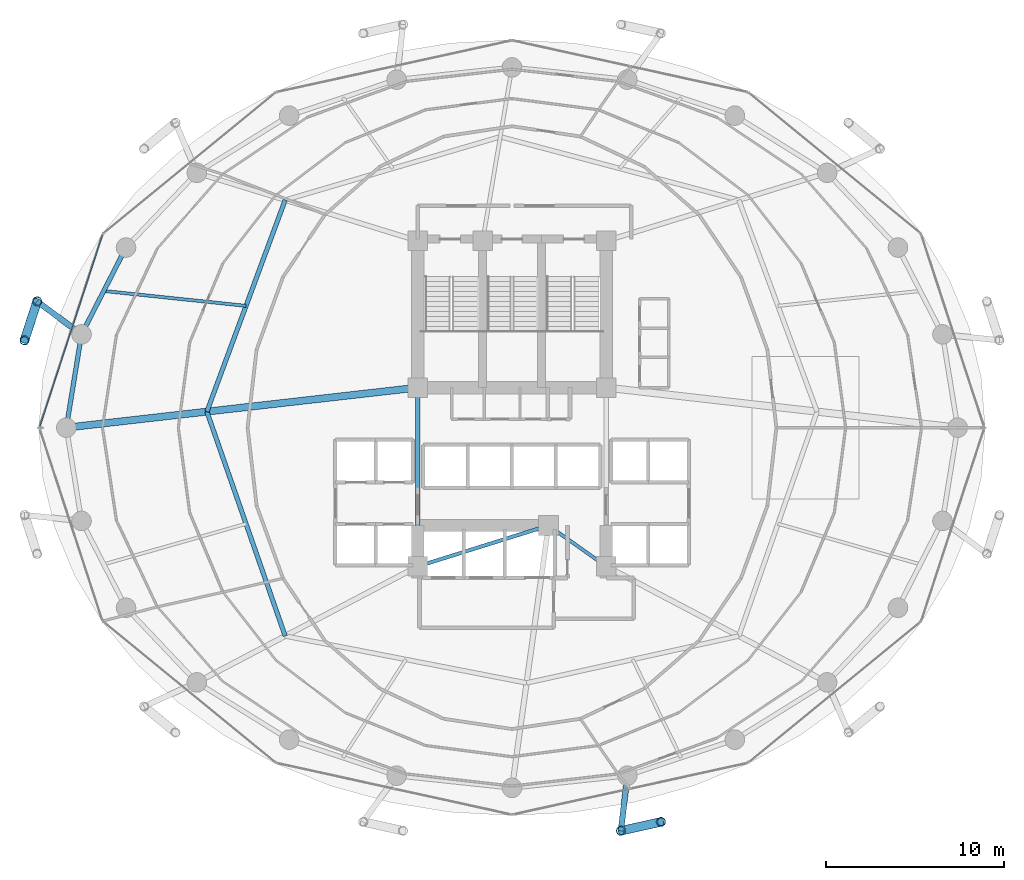
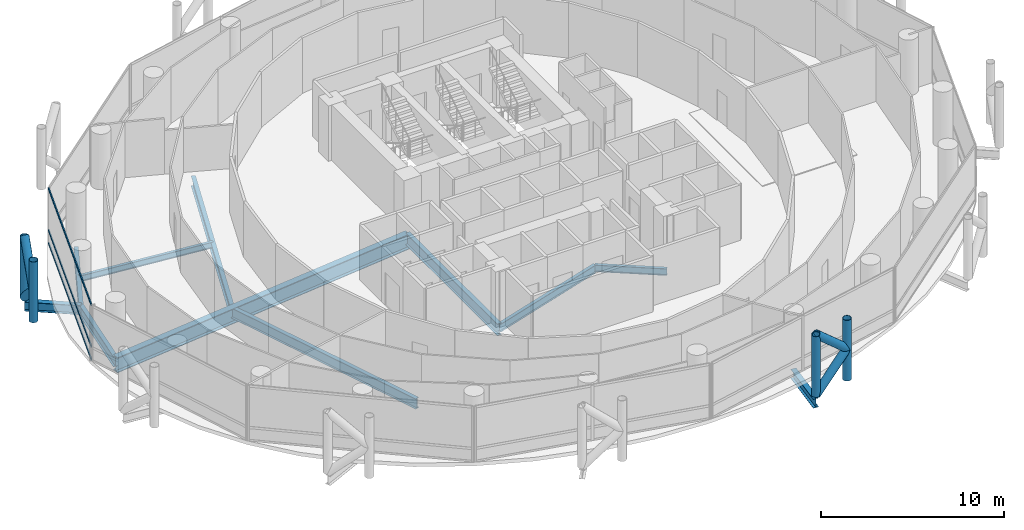
# One storey, part 7 of 27: 11 beams, 11 members, 1 element without a shape of its own.
"""IFC4 building model written with IfcOpenShell, lengths in metres."""

from ifc_helpers import new_model, si_unit, direction, frame, origin, origin_2d, place, context, subcontext, project, spatial, hollow_rectangle, hollow_circle, i_section, extrude, material, layer, layer_set, material_profile, profile_set, type_object, element, aggregate, save


model = new_model("IFC4")

# Units and contexts
model_context = context("Model", 3, precision=1e-05, world=origin(), true_north=direction((0.0, 1.0)))
body_context = subcontext(model_context, "Body", "Model", "MODEL_VIEW")
ifc_project = project(units=[si_unit("LENGTHUNIT", "METRE"), si_unit("AREAUNIT", "SQUARE_METRE"), si_unit("VOLUMEUNIT", "CUBIC_METRE"), si_unit("PLANEANGLEUNIT", "RADIAN"), si_unit("MASSUNIT", "GRAM", prefix="KILO")], contexts=[model_context])

# Site, building, storey
site_placement = place(None, origin())
site = spatial("IfcSite", under=ifc_project, at=site_placement, CompositionType="ELEMENT")
building_placement = place(site_placement, origin())
building = spatial("IfcBuilding", under=site, at=building_placement, Name="Nuhasar Tower", CompositionType="ELEMENT")
storey_placement = place(building_placement, frame((0.0, 0.0, 102.0)))
storey = spatial("IfcBuildingStorey", under=building, at=storey_placement, Name="L24", CompositionType="ELEMENT", Elevation=102.0)

# Beams
ifc_material_1 = material(Name="Steel S355", Category="steel")
ifc_material_profile_1 = material_profile(ifc_material_1, i_section(OverallWidth=0.25390625, OverallDepth=0.68408203125, WebThickness=0.012451171875, FlangeThickness=0.018798828125, at=origin_2d()), Name="W27X94")
ifc_profile_set_1 = profile_set([ifc_material_profile_1], Name="Steel S355")
beam_type_1 = type_object("IfcBeamType", Name="BM-INRING-W27X94", PredefinedType="BEAM", material=ifc_profile_set_1)
beam_1_placement = place(storey_placement, frame((26.251953125, 39.591064453125, -0.592041015625), z_axis=(-0.34715757476, -0.937806812881, 0.0), x_axis=(0.937806812881, -0.34715757476, 0.0)))
element("IfcBeam", 1, at=beam_1_placement, inside=storey, type_object=beam_type_1, Name="L24 Inner Header Beam 07", PredefinedType="BEAM", context=body_context, shape_type="SweptSolid", body=[
    extrude(i_section(OverallWidth=0.25390625, OverallDepth=0.68408203125, WebThickness=0.012451171875, FlangeThickness=0.018798828125, at=origin_2d()), origin(), (0.0, 0.0, 1.0), 12.6796875),
])
beam_2_placement = place(storey_placement, frame((21.85009765625, 27.699951171875, -0.592041015625), z_axis=(0.329554049858, -0.944136710558, 0.0), x_axis=(0.944136710558, 0.329554049858, 0.0)))
element("IfcBeam", 2, at=beam_2_placement, inside=storey, type_object=beam_type_1, Name="L24 Inner Header Beam 08", PredefinedType="BEAM", context=body_context, shape_type="SweptSolid", body=[
    extrude(i_section(OverallWidth=0.25390625, OverallDepth=0.68408203125, WebThickness=0.012451171875, FlangeThickness=0.018798828125, at=origin_2d()), origin(), (0.0, 0.0, 1.0), 13.35693359375),
])
ifc_material_profile_2 = material_profile(ifc_material_1, i_section(OverallWidth=0.177978515625, OverallDepth=0.406005859375, WebThickness=0.0078125, FlangeThickness=0.0126953125, at=origin_2d()), Name="W16X40")
ifc_profile_set_2 = profile_set([ifc_material_profile_2], Name="Steel S355")
beam_type_2 = type_object("IfcBeamType", Name="BM-JST-W16X40", PredefinedType="JOIST", material=ifc_profile_set_2)
beam_3_placement = place(storey_placement, frame((24.051025390625, 33.64501953125, -0.452880859375), z_axis=(-0.994554594377, 0.104216883485, 0.0), x_axis=(-0.104216883485, -0.994554594377, 0.0)))
element("IfcBeam", 3, at=beam_3_placement, inside=storey, type_object=beam_type_2, Name="L24 Secondary Floor Joist 07", PredefinedType="JOIST", context=body_context, shape_type="SweptSolid", body=[
    extrude(i_section(OverallWidth=0.177978515625, OverallDepth=0.406005859375, WebThickness=0.0078125, FlangeThickness=0.0126953125, at=origin_2d()), origin(), (0.0, 0.0, 1.0), 8.039794921875),
])
ifc_material_profile_3 = material_profile(ifc_material_1, i_section(OverallWidth=0.18994140625, OverallDepth=0.45703125, WebThickness=0.009033203125, FlangeThickness=0.014404296875, at=origin_2d()), Name="W18X50")
ifc_profile_set_3 = profile_set([ifc_material_profile_3], Name="Steel S355")
beam_type_3 = type_object("IfcBeamType", Name="BM-RAD-W18X50", PredefinedType="BEAM", material=ifc_profile_set_3)
beam_4_placement = place(storey_placement, frame((41.050048828125, 21.300048828125, -0.47802734375), z_axis=(0.816265428953, -0.577677028708, 0.0), x_axis=(0.577677028708, 0.816265428953, 0.0)))
element("IfcBeam", 4, at=beam_4_placement, inside=storey, type_object=beam_type_3, Name="L24 Core Ring Girder 2", PredefinedType="BEAM", context=body_context, shape_type="SweptSolid", body=[
    extrude(i_section(OverallWidth=0.18994140625, OverallDepth=0.45703125, WebThickness=0.009033203125, FlangeThickness=0.014404296875, at=origin_2d()), origin(), (0.0, 0.0, 1.0), 3.9814453125),
])
ifc_material_profile_4 = material_profile(ifc_material_1, i_section(OverallWidth=0.208984375, OverallDepth=0.532958984375, WebThickness=0.01025390625, FlangeThickness=0.015625, at=origin_2d()), Name="W21X62")
ifc_profile_set_4 = profile_set([ifc_material_profile_4], Name="Steel S355")
beam_type_4 = type_object("IfcBeamType", Name="BM-RAD-W21X62", PredefinedType="BEAM", material=ifc_profile_set_4)
beam_5_placement = place(storey_placement, frame((33.699951171875, 19.0, -0.51611328125), z_axis=(0.954363709454, 0.298646798205, 0.0), x_axis=(-0.298646798205, 0.954363709454, 0.0)))
element("IfcBeam", 5, at=beam_5_placement, inside=storey, type_object=beam_type_4, Name="L24 Core Ring Girder 1", PredefinedType="BEAM", context=body_context, shape_type="SweptSolid", body=[
    extrude(i_section(OverallWidth=0.208984375, OverallDepth=0.532958984375, WebThickness=0.01025390625, FlangeThickness=0.015625, at=origin_2d()), origin(), (0.0, 0.0, 1.0), 7.70166015625),
])
ifc_material_profile_5 = material_profile(ifc_material_1, i_section(OverallWidth=0.26611328125, OverallDepth=0.779052734375, WebThickness=0.0166015625, FlangeThickness=0.030029296875, at=origin_2d()), Name="W30X148")
ifc_profile_set_5 = profile_set([ifc_material_profile_5], Name="Steel S355")
beam_type_5 = type_object("IfcBeamType", Name="BM-RAD-W30X148", PredefinedType="BEAM", material=ifc_profile_set_5)
beam_6_placement = place(storey_placement, frame((33.699951171875, 29.050048828125, -0.638916015625), z_axis=(0.0, -1.0, 0.0), x_axis=(1.0, 0.0, 0.0)))
element("IfcBeam", 6, at=beam_6_placement, inside=storey, type_object=beam_type_5, Name="L24 Core Ring Girder 8", PredefinedType="BEAM", context=body_context, shape_type="SweptSolid", body=[
    extrude(i_section(OverallWidth=0.26611328125, OverallDepth=0.779052734375, WebThickness=0.0166015625, FlangeThickness=0.030029296875, at=origin_2d()), origin(), (0.0, 0.0, 1.0), 10.050048828125),
])
ifc_material_profile_6 = material_profile(ifc_material_1, i_section(OverallWidth=0.256103515625, OverallDepth=0.693115234375, WebThickness=0.014404296875, FlangeThickness=0.023681640625, at=origin_2d()), Name="W27X114")
ifc_profile_set_6 = profile_set([ifc_material_profile_6], Name="Steel S355")
beam_type_6 = type_object("IfcBeamType", Name="BM-RING-W27X114", PredefinedType="SPANDREL", material=ifc_profile_set_6)
beam_7_placement = place(storey_placement, frame((17.305908203125, 36.925048828125, -0.596923828125), z_axis=(-0.455930023905, -0.890015625314, 0.0), x_axis=(0.890015625314, -0.455930023905, 0.0)))
element("IfcBeam", 7, at=beam_7_placement, inside=storey, type_object=beam_type_6, Name="L24 Perimeter Ring Spandrel 11", PredefinedType="SPANDREL", context=body_context, shape_type="SweptSolid", body=[
    extrude(i_section(OverallWidth=0.256103515625, OverallDepth=0.693115234375, WebThickness=0.014404296875, FlangeThickness=0.023681640625, at=origin_2d()), origin(), (0.0, 0.0, 1.0), 5.487548828125),
])
beam_8_placement = place(storey_placement, frame((14.803955078125, 32.041015625, -0.596923828125), z_axis=(-0.160826635486, -0.986982671235, 0.0), x_axis=(0.986982671235, -0.160826635486, 0.0)))
element("IfcBeam", 8, at=beam_8_placement, inside=storey, type_object=beam_type_6, Name="L24 Perimeter Ring Spandrel 12", PredefinedType="SPANDREL", context=body_context, shape_type="SweptSolid", body=[
    extrude(i_section(OverallWidth=0.256103515625, OverallDepth=0.693115234375, WebThickness=0.014404296875, FlangeThickness=0.023681640625, at=origin_2d()), origin(), (0.0, 0.0, 1.0), 5.31005859375),
])
ifc_material_profile_7 = material_profile(ifc_material_1, i_section(OverallWidth=0.323974609375, OverallDepth=0.611083984375, WebThickness=0.0126953125, FlangeThickness=0.01904296875, at=origin_2d()), Name="W24X104")
ifc_profile_set_7 = profile_set([ifc_material_profile_7], Name="Steel S355")
beam_type_7 = type_object("IfcBeamType", Name="BM-TIE-W24X104", PredefinedType="BEAM", material=ifc_profile_set_7)
beam_9_placement = place(storey_placement, frame((14.803955078125, 32.041015625, -0.554931640625), z_axis=(-0.802151061326, 0.597121155892, 0.0), x_axis=(-0.597121155892, -0.802151061326, 0.0)))
element("IfcBeam", 9, at=beam_9_placement, inside=storey, type_object=beam_type_7, Name="L24 Exoskeleton Node Tie Beam 06", PredefinedType="BEAM", context=body_context, shape_type="SweptSolid", body=[
    extrude(i_section(OverallWidth=0.323974609375, OverallDepth=0.611083984375, WebThickness=0.0126953125, FlangeThickness=0.01904296875, at=origin_2d()), origin(), (0.0, 0.0, 1.0), 3.111328125),
])
beam_10_placement = place(storey_placement, frame((45.48291015625, 7.239990234375, -0.554931640625), z_axis=(-0.115042934281, -0.993360520291, 0.0), x_axis=(0.993360520291, -0.115042934281, 0.0)))
element("IfcBeam", 10, at=beam_10_placement, inside=storey, type_object=beam_type_7, Name="L24 Exoskeleton Node Tie Beam 10", PredefinedType="BEAM", context=body_context, shape_type="SweptSolid", body=[
    extrude(i_section(OverallWidth=0.323974609375, OverallDepth=0.611083984375, WebThickness=0.0126953125, FlangeThickness=0.01904296875, at=origin_2d()), origin(), (0.0, 0.0, 1.0), 3.11962890625),
])
ifc_material_2 = material(Name="Steel S460", Category="steel")
ifc_material_profile_8 = material_profile(ifc_material_2, i_section(OverallWidth=0.40087890625, OverallDepth=1.010009765625, WebThickness=0.023681640625, FlangeThickness=0.0419921875, at=origin_2d()), Name="W40X297")
ifc_profile_set_8 = profile_set([ifc_material_profile_8], Name="Steel S460")
beam_type_8 = type_object("IfcBeamType", Name="BM-XFER-W40X297", PredefinedType="USERDEFINED", material=ifc_profile_set_8)
beam_11_placement = place(storey_placement, frame((33.699951171875, 29.050048828125, -0.7548828125), z_axis=(-0.993573147212, -0.113191877531, 0.0), x_axis=(0.113191877531, -0.993573147212, 0.0)))
element("IfcBeam", 11, at=beam_11_placement, inside=storey, type_object=beam_type_8, Name="L24 Radial Floor Girder 08", ObjectType="GIRDER", PredefinedType="USERDEFINED", context=body_context, shape_type="SweptSolid", body=[
    extrude(i_section(OverallWidth=0.40087890625, OverallDepth=1.010009765625, WebThickness=0.023681640625, FlangeThickness=0.0419921875, at=origin_2d()), origin(), (0.0, 0.0, 1.0), 19.877685546875),
])

# Curtain wall, members
ifc_material_3 = material(Name="Aluminium 6063-T6", Category="aluminium")
ifc_layer = layer(ifc_material_3, 0.199951171875)
ifc_layer_set = layer_set([ifc_layer], Name="Aluminium 6063-T6")
curtain_wall_type = type_object("IfcCurtainWallType", Name="CW-Z1-OFF", PredefinedType="NOTDEFINED", material=ifc_layer_set)
curtain_wall_placement = place(storey_placement, origin())
curtain_wall = element("IfcCurtainWall", 12, at=curtain_wall_placement, inside=storey, type_object=curtain_wall_type, Name="L24 Unitised Curtain Wall 06", PredefinedType="NOTDEFINED")
ifc_material_profile_9 = material_profile(ifc_material_3, hollow_rectangle(XDim=0.06494140625, YDim=0.14990234375, WallThickness=0.00439453125, at=origin_2d()), Name="CWT-2")
ifc_profile_set_9 = profile_set([ifc_material_profile_9], Name="Aluminium 6063-T6")
member_type_1 = type_object("IfcMemberType", Name="CW-TRN-S2", PredefinedType="USERDEFINED", material=ifc_profile_set_9)
member_1_placement = place(storey_placement, frame((15.977783203125, 37.6181640625, 0.032470703125), z_axis=(-0.31082506089, -0.950467138581, 0.0), x_axis=(0.950467138581, -0.31082506089, 0.0)))
member_1 = element("IfcMember", 13, at=member_1_placement, type_object=member_type_1, Name="CW-Z1 transom 1.1", ObjectType="TRANSOM", PredefinedType="USERDEFINED", context=body_context, shape_type="SweptSolid", body=[
    extrude(hollow_rectangle(XDim=0.06494140625, YDim=0.14990234375, WallThickness=0.00439453125, at=origin_2d()), origin(), (0.0, 0.0, 1.0), 11.31689453125),
])
member_2_placement = place(storey_placement, frame((15.977783203125, 37.6181640625, 0.89990234375), z_axis=(-0.31082506089, -0.950467138581, 0.0), x_axis=(0.950467138581, -0.31082506089, 0.0)))
member_2 = element("IfcMember", 14, at=member_2_placement, type_object=member_type_1, Name="CW-Z1 transom 1.2", ObjectType="TRANSOM", PredefinedType="USERDEFINED", context=body_context, shape_type="SweptSolid", body=[
    extrude(hollow_rectangle(XDim=0.06494140625, YDim=0.14990234375, WallThickness=0.00439453125, at=origin_2d()), origin(), (0.0, 0.0, 1.0), 11.31689453125),
])
member_3_placement = place(storey_placement, frame((15.977783203125, 37.6181640625, 3.66748046875), z_axis=(-0.31082506089, -0.950467138581, 0.0), x_axis=(0.950467138581, -0.31082506089, 0.0)))
member_3 = element("IfcMember", 15, at=member_3_placement, type_object=member_type_1, Name="CW-Z1 transom 1.3", ObjectType="TRANSOM", PredefinedType="USERDEFINED", context=body_context, shape_type="SweptSolid", body=[
    extrude(hollow_rectangle(XDim=0.06494140625, YDim=0.14990234375, WallThickness=0.00439453125, at=origin_2d()), origin(), (0.0, 0.0, 1.0), 11.31689453125),
])
aggregate(curtain_wall, [member_1, member_2, member_3])

# Members
ifc_material_profile_10 = material_profile(ifc_material_2, hollow_circle(Radius=0.25390625, WallThickness=0.025390625, at=origin_2d()), Name="HSS508X25.4")
ifc_profile_set_10 = profile_set([ifc_material_profile_10], Name="Steel S460")
member_type_2 = type_object("IfcMemberType", Name="EXO-BRONZE-508", PredefinedType="BRACE", material=ifc_profile_set_10)
for number, where, z_axis, x_axis, name in (
    (16, (12.30810546875, 33.89892578125, 0.0), (0.0, 0.0, 1.0), (1.0, 0.0, 0.0), "L24 Exoskeleton Chord Column EC-06A"),
    (17, (11.60009765625, 31.7099609375, 0.0), (0.0, 0.0, 1.0), (1.0, 0.0, 0.0), "L24 Exoskeleton Chord Column EC-06B"),
    (18, (45.1240234375, 4.14111328125, 0.0), (0.0, 0.0, 1.0), (1.0, 0.0, 0.0), "L24 Exoskeleton Chord Column EC-10A"),
    (19, (47.3701171875, 4.639892578125, 0.0), (0.0, 0.0, 1.0), (1.0, 0.0, 0.0), "L24 Exoskeleton Chord Column EC-10B"),
):
    element("IfcMember", number, at=place(storey_placement, frame(where, z_axis=z_axis, x_axis=x_axis)), inside=storey, type_object=member_type_2, Name=name, PredefinedType="BRACE", context=body_context, shape_type="SweptSolid", body=[
        extrude(hollow_circle(Radius=0.25390625, WallThickness=0.025390625, at=origin_2d()), origin(), (0.0, 0.0, 1.0), 4.050048828125),
    ])
member_4_placement = place(storey_placement, frame((12.30810546875, 33.89892578125, 0.0), z_axis=(-0.231011836313, -0.714224870475, 0.660693851854), x_axis=(0.951468282519, -0.307746823478, 0.0)))
element("IfcMember", 20, at=member_4_placement, inside=storey, type_object=member_type_2, Name="L24 Bronze Diagrid Brace W1-06", PredefinedType="BRACE", context=body_context, shape_type="SweptSolid", body=[
    extrude(hollow_circle(Radius=0.25390625, WallThickness=0.025390625, at=origin_2d()), origin(), (0.0, 0.0, 1.0), 3.064697265625),
])
for number, where, z_axis, x_axis, name in (
    (21, (11.60009765625, 31.7099609375, 2.02490234375), (0.230999678299, 0.714187281251, 0.660738734997), (-0.951468282519, 0.307746823478, 0.0), "L24 Bronze Diagrid Brace W2-06"),
    (22, (45.1240234375, 4.14111328125, 0.0), (0.732830973624, 0.162736269469, 0.66066305383), (-0.216784396973, 0.976219506683, 0.0), "L24 Bronze Diagrid Brace W1-10"),
):
    element("IfcMember", number, at=place(storey_placement, frame(where, z_axis=z_axis, x_axis=x_axis)), inside=storey, type_object=member_type_2, Name=name, PredefinedType="BRACE", context=body_context, shape_type="SweptSolid", body=[
        extrude(hollow_circle(Radius=0.25390625, WallThickness=0.025390625, at=origin_2d()), origin(), (0.0, 0.0, 1.0), 3.06494140625),
    ])
member_5_placement = place(storey_placement, frame((47.3701171875, 4.639892578125, 2.02490234375), z_axis=(-0.732792408767, -0.162727705556, 0.660707938122), x_axis=(0.216784396973, -0.976219506683, 0.0)))
element("IfcMember", 23, at=member_5_placement, inside=storey, type_object=member_type_2, Name="L24 Bronze Diagrid Brace W2-10", PredefinedType="BRACE", context=body_context, shape_type="SweptSolid", body=[
    extrude(hollow_circle(Radius=0.25390625, WallThickness=0.025390625, at=origin_2d()), origin(), (0.0, 0.0, 1.0), 3.065185546875),
])

save(model, "model.ifc")
